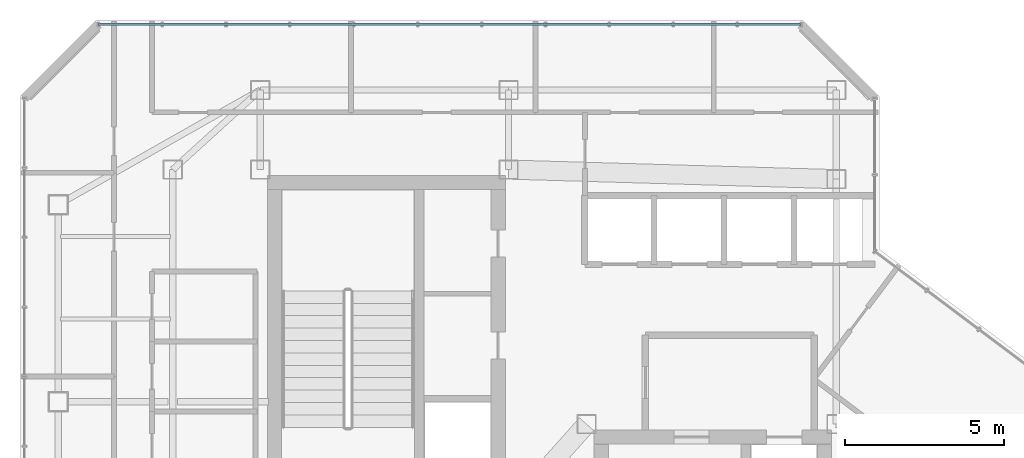
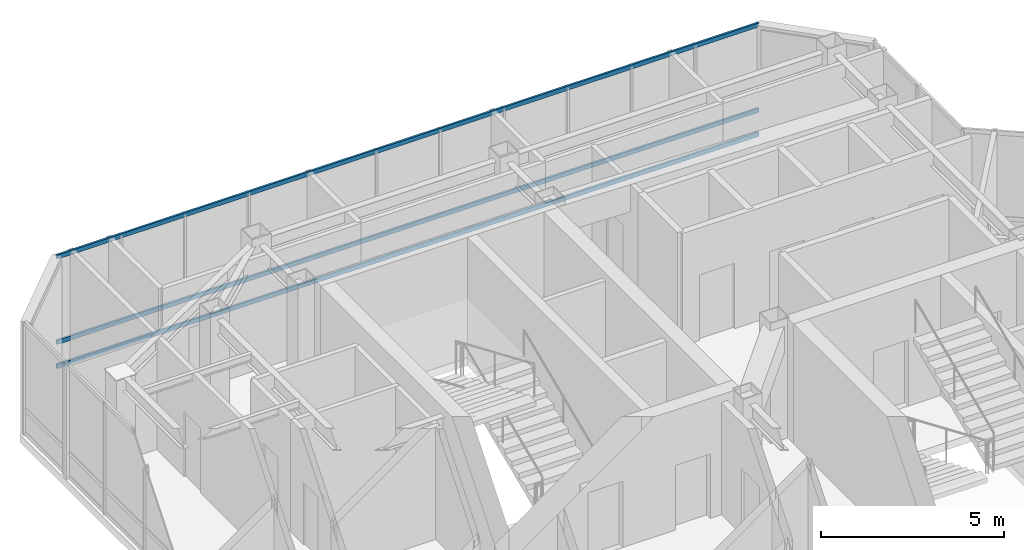
# One storey, part 23 of 31: 3 members, 1 element without a shape of its own.
"""IFC4 building model written with IfcOpenShell, lengths in metres."""

from ifc_helpers import new_model, si_unit, direction, frame, origin, origin_2d, place, context, subcontext, project, spatial, hollow_rectangle, extrude, material, layer, layer_set, material_profile, profile_set, type_object, element, aggregate, save


model = new_model("IFC4")

# Units and contexts
model_context = context("Model", 3, precision=1e-05, world=origin(), true_north=direction((0.0, 1.0)))
body_context = subcontext(model_context, "Body", "Model", "MODEL_VIEW")
ifc_project = project(units=[si_unit("LENGTHUNIT", "METRE"), si_unit("AREAUNIT", "SQUARE_METRE"), si_unit("VOLUMEUNIT", "CUBIC_METRE"), si_unit("PLANEANGLEUNIT", "RADIAN"), si_unit("MASSUNIT", "GRAM", prefix="KILO")], contexts=[model_context])

# Site, building, storey
site_placement = place(None, origin())
site = spatial("IfcSite", under=ifc_project, at=site_placement, CompositionType="ELEMENT")
building_placement = place(site_placement, origin())
building = spatial("IfcBuilding", under=site, at=building_placement, Name="Hatsunagi Terrace Concourse", CompositionType="ELEMENT")
storey_placement = place(building_placement, frame((0.0, 0.0, 269.949951171875)))
storey = spatial("IfcBuildingStorey", under=building, at=storey_placement, Name="L71", CompositionType="ELEMENT", Elevation=269.949951171875)

# Curtain wall, members
ifc_material_1 = material(Name="Anodised Aluminium Alloy 6063-T5", Category="aluminium")
ifc_layer = layer(ifc_material_1, 0.199951171875)
ifc_layer_set = layer_set([ifc_layer], Name="CrownWintergarden_CW06")
curtain_wall_type = type_object("IfcCurtainWallType", Name="CrownWintergarden_CW06", PredefinedType="NOTDEFINED", material=ifc_layer_set)
curtain_wall_placement = place(storey_placement, origin())
curtain_wall = element("IfcCurtainWall", 1, at=curtain_wall_placement, inside=storey, type_object=curtain_wall_type, Name="Unitised Curtain Wall CW-06 CW-L71-10", PredefinedType="NOTDEFINED")
ifc_material_2 = material(Name="Anodised Aluminium Alloy 6063-T5", Category="aluminium")
ifc_material_profile = material_profile(ifc_material_2, hollow_rectangle(XDim=0.06494140625, YDim=0.139892578125, WallThickness=0.00390625, at=origin_2d()), Name="ALU-TRN-140x65x4")
ifc_profile_set = profile_set([ifc_material_profile], Name="Anodised Aluminium Alloy 6063-T5")
member_type = type_object("IfcMemberType", Name="CurtainWallTransom_140x65", PredefinedType="USERDEFINED", material=ifc_profile_set)
member_1_placement = place(storey_placement, frame((20.4580078125, 47.860107421875, 0.050048828125), z_axis=(1.0, 0.0, 0.0), x_axis=(0.0, 1.0, 0.0)))
member_1 = element("IfcMember", 2, at=member_1_placement, type_object=member_type, Name="Curtain Wall Transom TRN-02", ObjectType="TRANSOM", PredefinedType="USERDEFINED", context=body_context, shape_type="SweptSolid", body=[
    extrude(hollow_rectangle(XDim=0.06494140625, YDim=0.139892578125, WallThickness=0.00390625, at=origin_2d()), origin(), (0.0, 0.0, 1.0), 22.083984375),
])
member_2_placement = place(storey_placement, frame((20.4580078125, 47.860107421875, 0.85009765625), z_axis=(1.0, 0.0, 0.0), x_axis=(0.0, 1.0, 0.0)))
member_2 = element("IfcMember", 3, at=member_2_placement, type_object=member_type, Name="Curtain Wall Transom TRN-02", ObjectType="TRANSOM", PredefinedType="USERDEFINED", context=body_context, shape_type="SweptSolid", body=[
    extrude(hollow_rectangle(XDim=0.06494140625, YDim=0.139892578125, WallThickness=0.00390625, at=origin_2d()), origin(), (0.0, 0.0, 1.0), 22.083984375),
])
member_3_placement = place(storey_placement, frame((20.4580078125, 47.860107421875, 3.68994140625), z_axis=(1.0, 0.0, 0.0), x_axis=(0.0, 1.0, 0.0)))
member_3 = element("IfcMember", 4, at=member_3_placement, type_object=member_type, Name="Curtain Wall Transom TRN-02", ObjectType="TRANSOM", PredefinedType="USERDEFINED", context=body_context, shape_type="SweptSolid", body=[
    extrude(hollow_rectangle(XDim=0.06494140625, YDim=0.139892578125, WallThickness=0.00390625, at=origin_2d()), origin(), (0.0, 0.0, 1.0), 22.083984375),
])
aggregate(curtain_wall, [member_1, member_2, member_3])

save(model, "model.ifc")
